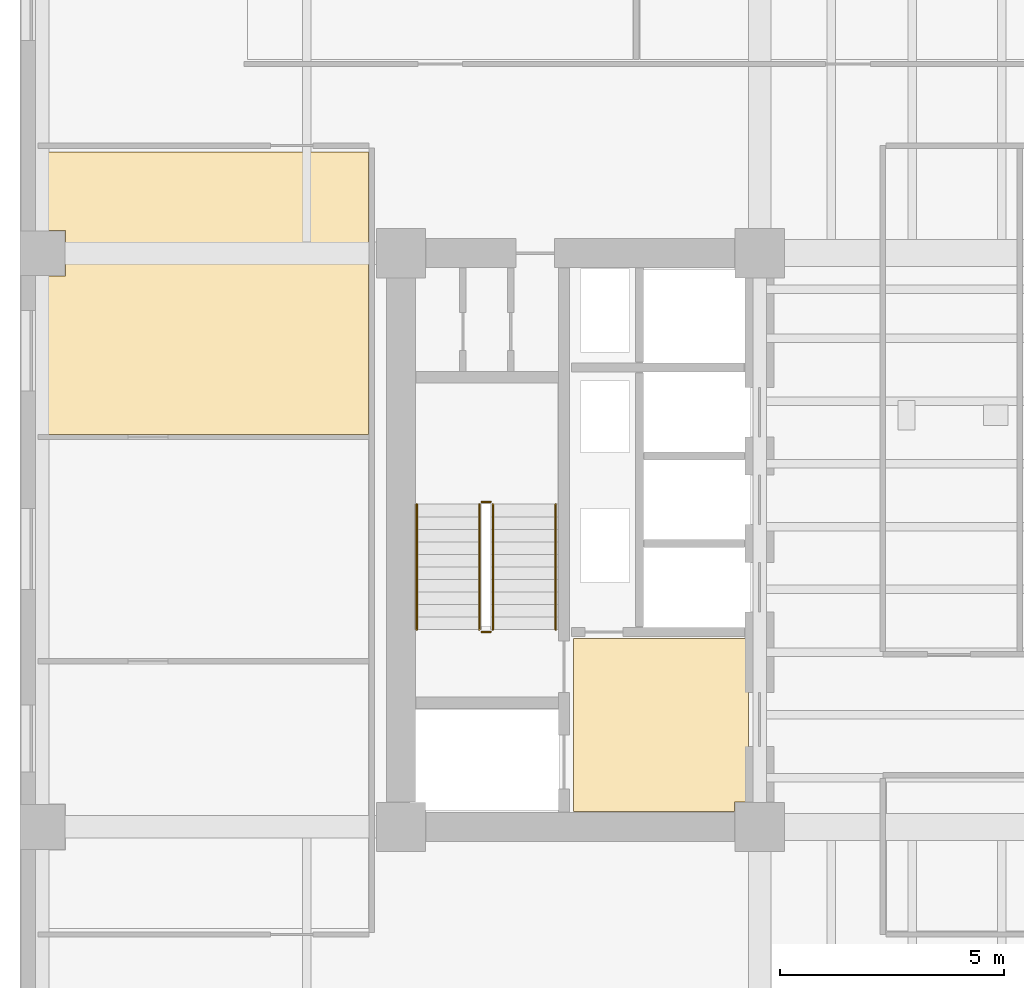
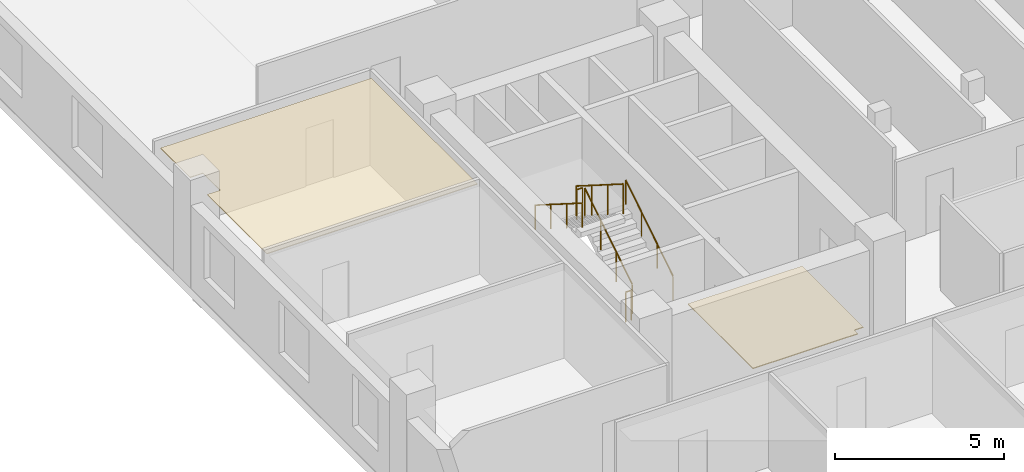
# One storey, part 7 of 10: 6 railings, 2 coverings.
"""IFC4 building model written with IfcOpenShell, lengths in metres."""

from ifc_helpers import new_model, si_unit, direction, frame, origin, origin_2d, place, context, subcontext, project, spatial, polyline, circle, outline, extrude, material, layer, layer_set, type_object, element, save


model = new_model("IFC4")

# Units and contexts
model_context = context("Model", 3, precision=1e-05, world=origin(), true_north=direction((0.0, 1.0)))
body_context = subcontext(model_context, "Body", "Model", "MODEL_VIEW")
ifc_project = project(units=[si_unit("LENGTHUNIT", "METRE"), si_unit("AREAUNIT", "SQUARE_METRE"), si_unit("VOLUMEUNIT", "CUBIC_METRE"), si_unit("PLANEANGLEUNIT", "RADIAN"), si_unit("MASSUNIT", "GRAM", prefix="KILO")], contexts=[model_context])

# Site, building, storey
site_placement = place(None, origin())
site = spatial("IfcSite", under=ifc_project, at=site_placement, CompositionType="ELEMENT")
building_placement = place(site_placement, origin())
building = spatial("IfcBuilding", under=site, at=building_placement, Name="Kranthara Brick Stack", CompositionType="ELEMENT")
storey_placement = place(building_placement, frame((0.0, 0.0, 106.199951171875)))
storey = spatial("IfcBuildingStorey", under=building, at=storey_placement, Name="L26", CompositionType="ELEMENT", Elevation=106.199951171875)

# Coverings
ifc_material_1 = material(Name="Perforated mineral-fibre acoustic ceiling tile", Category="other")
ifc_layer_1 = layer(ifc_material_1, 0.02490234375)
ifc_layer_set_1 = layer_set([ifc_layer_1], Name="Perforated mineral-fibre acoustic ceiling tile")
covering_type_1 = type_object("IfcCoveringType", Name="COV-CEIL-ACOUSTIC", PredefinedType="CEILING", material=ifc_layer_set_1)
covering_1_placement = place(storey_placement, frame((0.0, 0.0, 3.179931640625)))
element("IfcCovering", 1, at=covering_1_placement, inside=storey, type_object=covering_type_1, Name="L26 L26 West Executive Office 3 Acoustic Ceiling", PredefinedType="CEILING", context=body_context, shape_type="SweptSolid", body=[
    extrude(outline(polyline([(4.8701171875, 35.860107421875), (12.080078125, 35.860107421875), (12.080078125, 29.56005859375), (4.8701171875, 29.56005859375), (4.8701171875, 33.090087890625), (5.31005859375, 33.090087890625), (5.31005859375, 34.110107421875), (4.8701171875, 34.110107421875), (4.8701171875, 35.860107421875)])), origin(), (0.0, 0.0, 1.0), 0.025146484375),
])
ifc_material_2 = material(Name="Honed terrazzo and porcelain floor finish", Category="stone")
ifc_layer_2 = layer(ifc_material_2, 0.030029296875)
ifc_layer_set_2 = layer_set([ifc_layer_2], Name="Honed terrazzo and porcelain floor finish")
covering_type_2 = type_object("IfcCoveringType", Name="COV-FLOR-STONE", PredefinedType="FLOORING", material=ifc_layer_set_2)
covering_2_placement = place(storey_placement, origin())
element("IfcCovering", 2, at=covering_2_placement, inside=storey, type_object=covering_type_2, Name="L26 Lift Lobby Stone Flooring", PredefinedType="FLOORING", context=body_context, shape_type="SweptSolid", body=[
    extrude(outline(polyline([(16.64990234375, 21.14990234375), (16.64990234375, 25.0), (20.550048828125, 25.0), (20.550048828125, 21.360107421875), (20.239990234375, 21.360107421875), (20.239990234375, 21.14990234375), (16.64990234375, 21.14990234375)])), origin(), (0.0, 0.0, 1.0), 0.030029296875),
])

# Railings
ifc_material_3 = material(Name="Painted galvanized steel stair guardrail", Category="steel")
railing_type_1 = type_object("IfcRailingType", Name="RL-STAIR-GUARD-1100", PredefinedType="GUARDRAIL", material=ifc_material_3)
railing_1_placement = place(storey_placement, frame((14.85009765625, 25.199951171875, 0.17724609375)))
element("IfcRailing", 3, at=railing_1_placement, inside=storey, type_object=railing_type_1, Name="L26 ST01 stair guard 1", PredefinedType="GUARDRAIL", context=body_context, shape_type="SweptSolid", body=[
    extrude(circle(Radius=0.02392578125, at=origin_2d()), frame((0.0, 0.0, 1.076171875), z_axis=(0.0, 0.844908973607, 0.534910110503), x_axis=(-1.0, 0.0, 0.0)), (0.0, 0.0, 1.0), 3.31396484375),
    extrude(circle(Radius=0.02099609375, at=origin_2d()), origin(), (0.0, 0.0, 1.0), 1.052001953125),
    extrude(circle(Radius=0.02099609375, at=origin_2d()), frame((0.0, 0.933349609375, 0.5908203125)), (0.0, 0.0, 1.0), 1.052001953125),
    extrude(circle(Radius=0.02099609375, at=origin_2d()), frame((0.0, 1.86669921875, 1.181884765625)), (0.0, 0.0, 1.0), 1.052001953125),
    extrude(circle(Radius=0.02099609375, at=origin_2d()), frame((0.0, 2.800048828125, 1.772705078125)), (0.0, 0.0, 1.0), 1.052001953125),
])
railing_2_placement = place(storey_placement, frame((14.800048828125, 28.050048828125, 1.949951171875)))
element("IfcRailing", 4, at=railing_2_placement, inside=storey, type_object=railing_type_1, Name="L26 ST01 stair guard 2", PredefinedType="GUARDRAIL", context=body_context, shape_type="SweptSolid", body=[
    extrude(circle(Radius=0.02392578125, at=origin_2d()), frame((0.0, 0.0, 1.076171875), z_axis=(-1.0, 0.0, 0.0), x_axis=(0.0, -1.0, 0.0)), (0.0, 0.0, 1.0), 0.199951171875),
    extrude(circle(Radius=0.02099609375, at=origin_2d()), origin(), (0.0, 0.0, 1.0), 1.052001953125),
    extrude(circle(Radius=0.02099609375, at=origin_2d()), frame((-0.199951171875, 0.0, 0.0)), (0.0, 0.0, 1.0), 1.052001953125),
])
railing_3_placement = place(storey_placement, frame((14.550048828125, 28.0, 2.12744140625)))
element("IfcRailing", 5, at=railing_3_placement, inside=storey, type_object=railing_type_1, Name="L26 ST01 stair guard 3", PredefinedType="GUARDRAIL", context=body_context, shape_type="SweptSolid", body=[
    extrude(circle(Radius=0.02392578125, at=origin_2d()), frame((0.0, 0.0, 1.076171875), z_axis=(0.0, -0.844908973607, 0.534910110503), x_axis=(1.0, 0.0, 0.0)), (0.0, 0.0, 1.0), 3.31396484375),
    extrude(circle(Radius=0.02099609375, at=origin_2d()), origin(), (0.0, 0.0, 1.0), 1.052001953125),
    extrude(circle(Radius=0.02099609375, at=origin_2d()), frame((0.0, -0.933349609375, 0.5908203125)), (0.0, 0.0, 1.0), 1.052001953125),
    extrude(circle(Radius=0.02099609375, at=origin_2d()), frame((0.0, -1.86669921875, 1.181884765625)), (0.0, 0.0, 1.0), 1.052001953125),
    extrude(circle(Radius=0.02099609375, at=origin_2d()), frame((0.0, -2.800048828125, 1.772705078125)), (0.0, 0.0, 1.0), 1.052001953125),
])
railing_4_placement = place(storey_placement, frame((14.800048828125, 25.14990234375, 0.0)))
element("IfcRailing", 6, at=railing_4_placement, inside=storey, type_object=railing_type_1, Name="L26 ST01 stair guard 4", PredefinedType="GUARDRAIL", context=body_context, shape_type="SweptSolid", body=[
    extrude(circle(Radius=0.02392578125, at=origin_2d()), frame((0.0, 0.0, 1.076171875), z_axis=(-1.0, 0.0, 0.0), x_axis=(0.0, -1.0, 0.0)), (0.0, 0.0, 1.0), 0.199951171875),
    extrude(circle(Radius=0.02099609375, at=origin_2d()), origin(), (0.0, 0.0, 1.0), 1.052001953125),
    extrude(circle(Radius=0.02099609375, at=origin_2d()), frame((-0.199951171875, 0.0, 0.0)), (0.0, 0.0, 1.0), 1.052001953125),
])
ifc_material_4 = material(Name="Brushed stainless steel tubular handrail", Category="steel")
railing_type_2 = type_object("IfcRailingType", Name="RL-STAIR-HAND-900", PredefinedType="HANDRAIL", material=ifc_material_4)
railing_5_placement = place(storey_placement, frame((16.25, 25.199951171875, 0.17724609375)))
element("IfcRailing", 7, at=railing_5_placement, inside=storey, type_object=railing_type_2, Name="L26 ST01 stair handrail 1", PredefinedType="HANDRAIL", context=body_context, shape_type="SweptSolid", body=[
    extrude(circle(Radius=0.02392578125, at=origin_2d()), frame((0.0, 0.0, 0.8759765625), z_axis=(0.0, 0.844908973607, 0.534910110503), x_axis=(-1.0, 0.0, 0.0)), (0.0, 0.0, 1.0), 3.31396484375),
    extrude(circle(Radius=0.02099609375, at=origin_2d()), origin(), (0.0, 0.0, 1.0), 0.851806640625),
    extrude(circle(Radius=0.02099609375, at=origin_2d()), frame((0.0, 0.933349609375, 0.5908203125)), (0.0, 0.0, 1.0), 0.851806640625),
    extrude(circle(Radius=0.02099609375, at=origin_2d()), frame((0.0, 1.86669921875, 1.181884765625)), (0.0, 0.0, 1.0), 0.851806640625),
    extrude(circle(Radius=0.02099609375, at=origin_2d()), frame((0.0, 2.800048828125, 1.772705078125)), (0.0, 0.0, 1.0), 0.851806640625),
])
railing_6_placement = place(storey_placement, frame((13.14990234375, 28.0, 2.12744140625)))
element("IfcRailing", 8, at=railing_6_placement, inside=storey, type_object=railing_type_2, Name="L26 ST01 stair handrail 2", PredefinedType="HANDRAIL", context=body_context, shape_type="SweptSolid", body=[
    extrude(circle(Radius=0.02392578125, at=origin_2d()), frame((0.0, 0.0, 0.8759765625), z_axis=(0.0, -0.844908973607, 0.534910110503), x_axis=(1.0, 0.0, 0.0)), (0.0, 0.0, 1.0), 3.31396484375),
    extrude(circle(Radius=0.02099609375, at=origin_2d()), origin(), (0.0, 0.0, 1.0), 0.851806640625),
    extrude(circle(Radius=0.02099609375, at=origin_2d()), frame((0.0, -0.933349609375, 0.5908203125)), (0.0, 0.0, 1.0), 0.851806640625),
    extrude(circle(Radius=0.02099609375, at=origin_2d()), frame((0.0, -1.86669921875, 1.181884765625)), (0.0, 0.0, 1.0), 0.851806640625),
    extrude(circle(Radius=0.02099609375, at=origin_2d()), frame((0.0, -2.800048828125, 1.772705078125)), (0.0, 0.0, 1.0), 0.851806640625),
])

save(model, "model.ifc")
